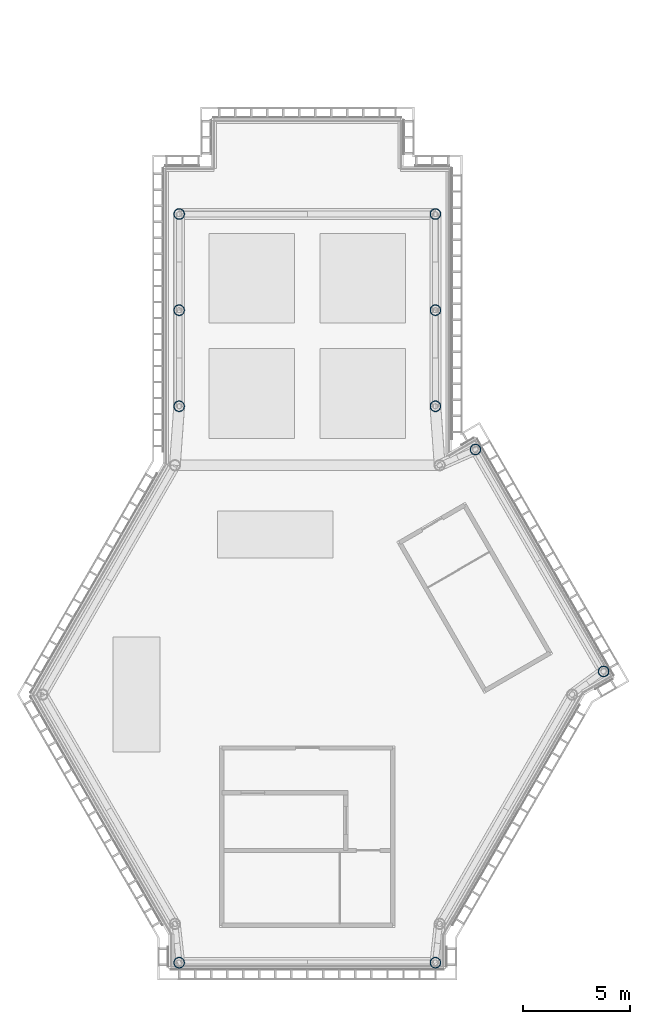
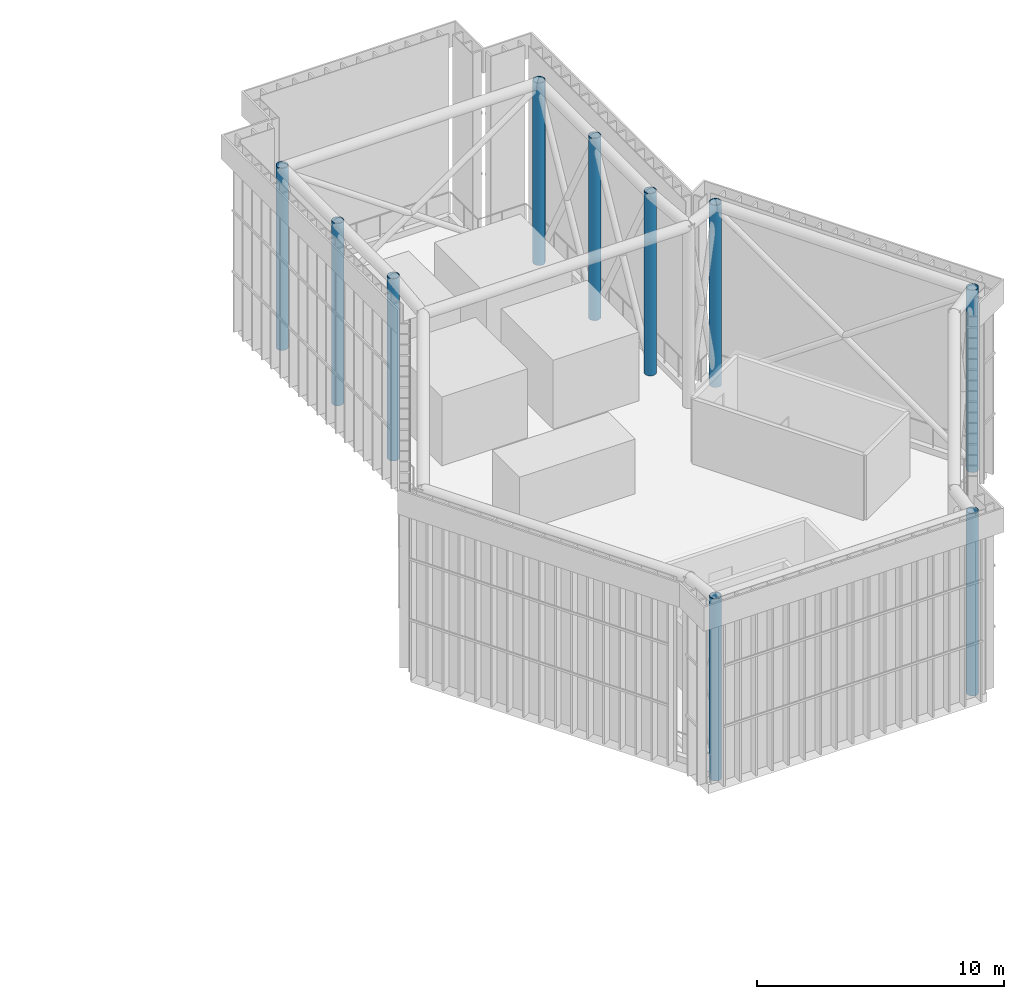
# One storey, part 2 of 17: 10 columns.
"""IFC4 building model written with IfcOpenShell, lengths in metres."""

from ifc_helpers import new_model, si_unit, direction, frame, origin, origin_2d, place, context, subcontext, project, spatial, hollow_circle, extrude, material, material_profile, profile_set, type_object, element, save


model = new_model("IFC4")

# Units and contexts
model_context = context("Model", 3, precision=1e-05, world=origin(), true_north=direction((0.0, 1.0)))
body_context = subcontext(model_context, "Body", "Model", "MODEL_VIEW")
ifc_project = project(units=[si_unit("LENGTHUNIT", "METRE"), si_unit("AREAUNIT", "SQUARE_METRE"), si_unit("VOLUMEUNIT", "CUBIC_METRE"), si_unit("PLANEANGLEUNIT", "RADIAN"), si_unit("MASSUNIT", "GRAM", prefix="KILO")], contexts=[model_context])

# Site, building, storey
site_placement = place(None, origin())
site = spatial("IfcSite", under=ifc_project, at=site_placement, CompositionType="ELEMENT")
building_placement = place(site_placement, origin())
building = spatial("IfcBuilding", under=site, at=building_placement, Name="Upepo Twin Towers", CompositionType="ELEMENT")
storey_placement = place(building_placement, frame((0.0, 0.0, 296.5)))
storey = spatial("IfcBuildingStorey", under=building, at=storey_placement, Name="RF", CompositionType="ELEMENT", Elevation=296.5)

# Columns
ifc_material = material(Name="Steel S355", Category="steel")
ifc_material_profile = material_profile(ifc_material, hollow_circle(Radius=0.25390625, WallThickness=0.02490234375, at=origin_2d()), Name="CHS 508.0x25.0")
ifc_profile_set = profile_set([ifc_material_profile], Name="Steel S355")
column_type = type_object("IfcColumnType", Name="Crown frame column CHS 508.0x25.0", PredefinedType="USERDEFINED", material=ifc_profile_set)
for number, where, z_axis, x_axis, name in (
    (1, (52.5, -30.558349609375, 0.0), (0.0, 0.0, 1.0), (1.0, 0.0, 0.0), "T2 crown frame column E180a"),
    (2, (64.5, -30.558349609375, 0.0), (0.0, 0.0, 1.0), (1.0, 0.0, 0.0), "T2 crown frame column E180b"),
    (3, (72.375732421875, -16.9169921875, 0.0), (0.0, 0.0, 1.0), (1.0, 0.0, 0.0), "T2 crown frame column E300a"),
    (4, (66.375732421875, -6.524658203125, 0.0), (0.0, 0.0, 1.0), (1.0, 0.0, 0.0), "T2 crown frame column E300b"),
    (5, (52.5, -4.5, 0.0), (0.0, 0.0, 1.0), (1.0, 0.0, 0.0), "T2 crown frame column AL135"),
    (6, (52.5, 0.0, 0.0), (0.0, 0.0, 1.0), (1.0, 0.0, 0.0), "T2 crown frame column AL180"),
    (7, (52.5, 4.5, 0.0), (0.0, 0.0, 1.0), (1.0, 0.0, 0.0), "T2 crown frame column AL225"),
    (8, (64.5, -4.5, 0.0), (0.0, 0.0, 1.0), (1.0, 0.0, 0.0), "T2 crown frame column AR135"),
    (9, (64.5, 0.0, 0.0), (0.0, 0.0, 1.0), (1.0, 0.0, 0.0), "T2 crown frame column AR180"),
    (10, (64.5, 4.5, 0.0), (0.0, 0.0, 1.0), (1.0, 0.0, 0.0), "T2 crown frame column AR225"),
):
    element("IfcColumn", number, at=place(storey_placement, frame(where, z_axis=z_axis, x_axis=x_axis)), inside=storey, type_object=column_type, Name=name, ObjectType="CROWN FRAME", PredefinedType="USERDEFINED", context=body_context, shape_type="SweptSolid", body=[
        extrude(hollow_circle(Radius=0.25390625, WallThickness=0.02490234375, at=origin_2d()), origin(), (0.0, 0.0, 1.0), 9.0),
    ])

save(model, "model.ifc")
